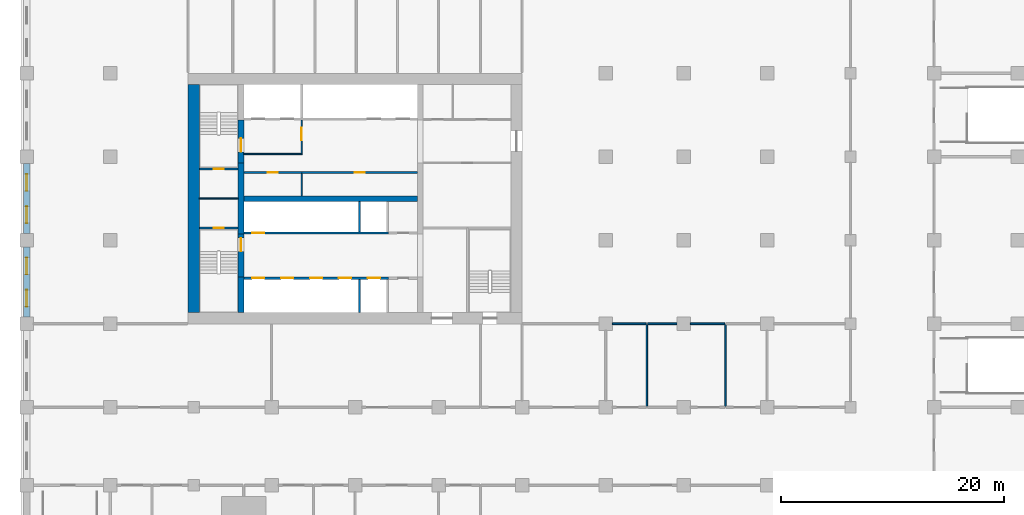
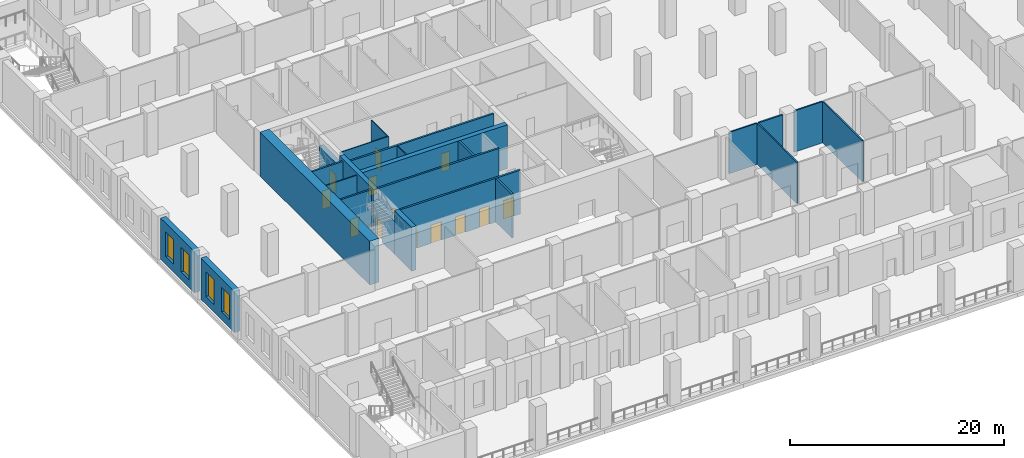
# One storey, part 5 of 22: 24 walls, 13 doors, 4 windows, 17 openings.
"""IFC4 building model written with IfcOpenShell, lengths in metres."""

from ifc_helpers import new_model, si_unit, direction, frame, frame_2d, origin, place, context, subcontext, project, spatial, rectangle, extrude, material, layer, layer_set, type_object, element, fill, save


model = new_model("IFC4")

# Units and contexts
model_context = context("Model", 3, precision=1e-05, world=origin(), true_north=direction((0.0, 1.0)))
body_context = subcontext(model_context, "Body", "Model", "MODEL_VIEW")
ifc_project = project(units=[si_unit("LENGTHUNIT", "METRE"), si_unit("AREAUNIT", "SQUARE_METRE"), si_unit("VOLUMEUNIT", "CUBIC_METRE"), si_unit("PLANEANGLEUNIT", "RADIAN"), si_unit("MASSUNIT", "GRAM", prefix="KILO")], contexts=[model_context])

# Site, building, storey
site_placement = place(None, origin())
site = spatial("IfcSite", under=ifc_project, at=site_placement, CompositionType="ELEMENT")
building_placement = place(site_placement, origin())
building = spatial("IfcBuilding", under=site, at=building_placement, Name="Tamorin Gate", CompositionType="ELEMENT")
storey_placement = place(building_placement, frame((0.0, 0.0, 29.0)))
storey = spatial("IfcBuildingStorey", under=building, at=storey_placement, Name="L05", CompositionType="ELEMENT", Elevation=29.0)

# Wall, openings, doors
ifc_material_1 = material(Name="Concrete C32/40", Category="concrete")
ifc_layer_1 = layer(ifc_material_1, 0.199951171875)
ifc_layer_set_1 = layer_set([ifc_layer_1], Name="Lift lobby face wall 200 EI 120")
wall_type_1 = type_object("IfcWallType", Name="Lift lobby face wall 200 EI 120", PredefinedType="SOLIDWALL", material=ifc_layer_set_1)
wall_1_placement = place(storey_placement, frame((35.0, 64.10009765625, 0.0), z_axis=(0.0, 0.0, 1.0), x_axis=(1.0, 0.0, 0.0)))
wall_1 = element("IfcWall", 1, at=wall_1_placement, inside=storey, type_object=wall_type_1, Name="Lift lobby face wall", PredefinedType="SOLIDWALL", context=body_context, shape_type="SweptSolid", body=[
    extrude(rectangle(XDim=13.0, YDim=0.199951171875, at=frame_2d((6.5, 0.0))), origin(), (0.0, 0.0, 1.0), 5.0),
])
opening_1_placement = place(wall_1_placement, frame((0.75, 0.0, 0.0)))
opening_1 = element("IfcOpeningElement", 2, at=opening_1_placement, cuts=wall_1, Name="Opening LD1", PredefinedType="OPENING", context=body_context, shape_type="SweptSolid", body=[
    extrude(rectangle(XDim=1.10009765625, YDim=2.10009765625, at=frame_2d((0.550048828125, 1.050048828125))), frame((0.0, 0.10986328125, 0.0), z_axis=(0.0, -1.0, 0.0), x_axis=(1.0, 0.0, 0.0)), (0.0, 0.0, 1.0), 0.219970703125),
])
opening_2_placement = place(wall_1_placement, frame((3.35009765625, 0.0, 0.0)))
opening_2 = element("IfcOpeningElement", 3, at=opening_2_placement, cuts=wall_1, Name="Opening LD2", PredefinedType="OPENING", context=body_context, shape_type="SweptSolid", body=[
    extrude(rectangle(XDim=1.10009765625, YDim=2.10009765625, at=frame_2d((0.550048828125, 1.050048828125))), frame((0.0, 0.10986328125, 0.0), z_axis=(0.0, -1.0, 0.0), x_axis=(1.0, 0.0, 0.0)), (0.0, 0.0, 1.0), 0.219970703125),
])
opening_3_placement = place(wall_1_placement, frame((5.949951171875, 0.0, 0.0)))
opening_3 = element("IfcOpeningElement", 4, at=opening_3_placement, cuts=wall_1, Name="Opening LD3", PredefinedType="OPENING", context=body_context, shape_type="SweptSolid", body=[
    extrude(rectangle(XDim=1.10009765625, YDim=2.10009765625, at=frame_2d((0.550048828125, 1.050048828125))), frame((0.0, 0.10986328125, 0.0), z_axis=(0.0, -1.0, 0.0), x_axis=(1.0, 0.0, 0.0)), (0.0, 0.0, 1.0), 0.219970703125),
])
opening_4_placement = place(wall_1_placement, frame((8.550048828125, 0.0, 0.0)))
opening_4 = element("IfcOpeningElement", 5, at=opening_4_placement, cuts=wall_1, Name="Opening LD4", PredefinedType="OPENING", context=body_context, shape_type="SweptSolid", body=[
    extrude(rectangle(XDim=1.10009765625, YDim=2.10009765625, at=frame_2d((0.550048828125, 1.050048828125))), frame((0.0, 0.10986328125, 0.0), z_axis=(0.0, -1.0, 0.0), x_axis=(1.0, 0.0, 0.0)), (0.0, 0.0, 1.0), 0.219970703125),
])
opening_5_placement = place(wall_1_placement, frame((11.14990234375, 0.0, 0.0)))
opening_5 = element("IfcOpeningElement", 6, at=opening_5_placement, cuts=wall_1, Name="Opening LD5", PredefinedType="OPENING", context=body_context, shape_type="SweptSolid", body=[
    extrude(rectangle(XDim=1.10009765625, YDim=2.10009765625, at=frame_2d((0.550048828125, 1.050048828125))), frame((0.0, 0.10986328125, 0.0), z_axis=(0.0, -1.0, 0.0), x_axis=(1.0, 0.0, 0.0)), (0.0, 0.0, 1.0), 0.219970703125),
])
ifc_material_2 = material(Name="Stainless steel sliding door", Category="steel")
door_type_1 = type_object("IfcDoorType", Name="Lift landing door 1100 x 2100 E 90", OperationType="DOUBLE_DOOR_SLIDING", PredefinedType="DOOR", material=ifc_material_2)
door_1_placement = place(opening_1_placement, origin())
door_1 = element("IfcDoor", 7, at=door_1_placement, inside=storey, type_object=door_type_1, Name="LR1 landing door", OperationType="DOUBLE_DOOR_SLIDING", OverallHeight=2.10009765625, OverallWidth=1.10009765625, PredefinedType="DOOR", context=body_context, shape_type="SweptSolid", body=[
    extrude(rectangle(XDim=1.10009765625, YDim=2.10009765625, at=frame_2d((0.550048828125, 1.050048828125))), frame((0.0, 0.02490234375, 0.0), z_axis=(0.0, -1.0, 0.0), x_axis=(1.0, 0.0, 0.0)), (0.0, 0.0, 1.0), 0.050048828125),
])
fill(opening_1, door_1)
door_2_placement = place(opening_2_placement, origin())
door_2 = element("IfcDoor", 8, at=door_2_placement, inside=storey, type_object=door_type_1, Name="LR2 landing door", OperationType="DOUBLE_DOOR_SLIDING", OverallHeight=2.10009765625, OverallWidth=1.10009765625, PredefinedType="DOOR", context=body_context, shape_type="SweptSolid", body=[
    extrude(rectangle(XDim=1.10009765625, YDim=2.10009765625, at=frame_2d((0.550048828125, 1.050048828125))), frame((0.0, 0.02490234375, 0.0), z_axis=(0.0, -1.0, 0.0), x_axis=(1.0, 0.0, 0.0)), (0.0, 0.0, 1.0), 0.050048828125),
])
fill(opening_2, door_2)
door_3_placement = place(opening_3_placement, origin())
door_3 = element("IfcDoor", 9, at=door_3_placement, inside=storey, type_object=door_type_1, Name="LR3 landing door", OperationType="DOUBLE_DOOR_SLIDING", OverallHeight=2.10009765625, OverallWidth=1.10009765625, PredefinedType="DOOR", context=body_context, shape_type="SweptSolid", body=[
    extrude(rectangle(XDim=1.10009765625, YDim=2.10009765625, at=frame_2d((0.550048828125, 1.050048828125))), frame((0.0, 0.02490234375, 0.0), z_axis=(0.0, -1.0, 0.0), x_axis=(1.0, 0.0, 0.0)), (0.0, 0.0, 1.0), 0.050048828125),
])
fill(opening_3, door_3)
door_4_placement = place(opening_4_placement, origin())
door_4 = element("IfcDoor", 10, at=door_4_placement, inside=storey, type_object=door_type_1, Name="LR4 landing door", OperationType="DOUBLE_DOOR_SLIDING", OverallHeight=2.10009765625, OverallWidth=1.10009765625, PredefinedType="DOOR", context=body_context, shape_type="SweptSolid", body=[
    extrude(rectangle(XDim=1.10009765625, YDim=2.10009765625, at=frame_2d((0.550048828125, 1.050048828125))), frame((0.0, 0.02490234375, 0.0), z_axis=(0.0, -1.0, 0.0), x_axis=(1.0, 0.0, 0.0)), (0.0, 0.0, 1.0), 0.050048828125),
])
fill(opening_4, door_4)
door_5_placement = place(opening_5_placement, origin())
door_5 = element("IfcDoor", 11, at=door_5_placement, inside=storey, type_object=door_type_1, Name="LR5 landing door", OperationType="DOUBLE_DOOR_SLIDING", OverallHeight=2.10009765625, OverallWidth=1.10009765625, PredefinedType="DOOR", context=body_context, shape_type="SweptSolid", body=[
    extrude(rectangle(XDim=1.10009765625, YDim=2.10009765625, at=frame_2d((0.550048828125, 1.050048828125))), frame((0.0, 0.02490234375, 0.0), z_axis=(0.0, -1.0, 0.0), x_axis=(1.0, 0.0, 0.0)), (0.0, 0.0, 1.0), 0.050048828125),
])
fill(opening_5, door_5)

# Wall, opening, door
wall_2_placement = place(storey_placement, frame((35.0, 68.14990234375, 0.0), z_axis=(0.0, 0.0, 1.0), x_axis=(1.0, 0.0, 0.0)))
wall_2 = element("IfcWall", 12, at=wall_2_placement, inside=storey, type_object=wall_type_1, Name="Lift lobby face wall", PredefinedType="SOLIDWALL", context=body_context, shape_type="SweptSolid", body=[
    extrude(rectangle(XDim=13.0, YDim=0.199951171875, at=frame_2d((6.5, 0.0))), origin(), (0.0, 0.0, 1.0), 5.0),
])
opening_6_placement = place(wall_2_placement, frame((0.75, 0.0, 0.0)))
opening_6 = element("IfcOpeningElement", 13, at=opening_6_placement, cuts=wall_2, Name="Opening LD6", PredefinedType="OPENING", context=body_context, shape_type="SweptSolid", body=[
    extrude(rectangle(XDim=1.10009765625, YDim=2.10009765625, at=frame_2d((0.550048828125, 1.050048828125))), frame((0.0, 0.10986328125, 0.0), z_axis=(0.0, -1.0, 0.0), x_axis=(1.0, 0.0, 0.0)), (0.0, 0.0, 1.0), 0.219970703125),
])
door_6_placement = place(opening_6_placement, origin())
door_6 = element("IfcDoor", 14, at=door_6_placement, inside=storey, type_object=door_type_1, Name="LR6 landing door", OperationType="DOUBLE_DOOR_SLIDING", OverallHeight=2.10009765625, OverallWidth=1.10009765625, PredefinedType="DOOR", context=body_context, shape_type="SweptSolid", body=[
    extrude(rectangle(XDim=1.10009765625, YDim=2.10009765625, at=frame_2d((0.550048828125, 1.050048828125))), frame((0.0, 0.02490234375, 0.0), z_axis=(0.0, -1.0, 0.0), x_axis=(1.0, 0.0, 0.0)), (0.0, 0.0, 1.0), 0.050048828125),
])
fill(opening_6, door_6)

# Walls
ifc_layer_2 = layer(ifc_material_1, 0.199951171875)
ifc_layer_set_2 = layer_set([ifc_layer_2], Name="Lift shaft wall 200 EI 120")
wall_type_2 = type_object("IfcWallType", Name="Lift shaft wall 200 EI 120", PredefinedType="SOLIDWALL", material=ifc_layer_set_2)
wall_3_placement = place(storey_placement, frame((45.39990234375, 61.0, 0.0), z_axis=(0.0, 0.0, 1.0), x_axis=(0.0, 1.0, 0.0)))
element("IfcWall", 15, at=wall_3_placement, inside=storey, type_object=wall_type_2, Name="Lift shaft wall", PredefinedType="SOLIDWALL", context=body_context, shape_type="SweptSolid", body=[
    extrude(rectangle(XDim=3.0, YDim=0.199951171875, at=frame_2d((1.5, 0.0))), origin(), (0.0, 0.0, 1.0), 5.0),
])
wall_4_placement = place(storey_placement, frame((45.39990234375, 68.25, 0.0), z_axis=(0.0, 0.0, 1.0), x_axis=(0.0, 1.0, 0.0)))
element("IfcWall", 16, at=wall_4_placement, inside=storey, type_object=wall_type_2, Name="Lift shaft wall", PredefinedType="SOLIDWALL", context=body_context, shape_type="SweptSolid", body=[
    extrude(rectangle(XDim=2.75, YDim=0.199951171875, at=frame_2d((1.375, 0.0))), origin(), (0.0, 0.0, 1.0), 5.0),
])
ifc_material_3 = material(Name="Fire-rated gypsum board partition")
ifc_layer_3 = layer(ifc_material_3, 0.10009765625)
ifc_layer_set_3 = layer_set([ifc_layer_3], Name="Lobby wall 100 EI 60")
wall_type_3 = type_object("IfcWallType", Name="Lobby wall 100 EI 60", PredefinedType="PARTITIONING", material=ifc_layer_set_3)
wall_5_placement = place(storey_placement, frame((35.0, 75.25, 0.0), z_axis=(0.0, 0.0, 1.0), x_axis=(1.0, 0.0, 0.0)))
element("IfcWall", 17, at=wall_5_placement, inside=storey, type_object=wall_type_3, Name="Firefighting lobby wall", PredefinedType="PARTITIONING", context=body_context, shape_type="SweptSolid", body=[
    extrude(rectangle(XDim=5.25, YDim=0.10009765625, at=frame_2d((2.625, 0.0))), origin(), (0.0, 0.0, 1.0), 4.75),
])

# Wall, opening, door
wall_6_placement = place(storey_placement, frame((40.199951171875, 75.300048828125, 0.0), z_axis=(0.0, 0.0, 1.0), x_axis=(0.0, 1.0, 0.0)))
wall_6 = element("IfcWall", 18, at=wall_6_placement, inside=storey, type_object=wall_type_3, Name="Firefighting lobby wall", PredefinedType="PARTITIONING", context=body_context, shape_type="SweptSolid", body=[
    extrude(rectangle(XDim=3.0, YDim=0.10009765625, at=frame_2d((1.5, 0.0))), origin(), (0.0, 0.0, 1.0), 4.75),
])
opening_7_placement = place(wall_6_placement, frame((1.199951171875, 0.0, 0.0)))
opening_7 = element("IfcOpeningElement", 19, at=opening_7_placement, cuts=wall_6, Name="Opening DF1", PredefinedType="OPENING", context=body_context, shape_type="SweptSolid", body=[
    extrude(rectangle(XDim=1.10009765625, YDim=2.10009765625, at=frame_2d((0.550048828125, 1.050048828125))), frame((0.0, 0.06005859375, 0.0), z_axis=(0.0, -1.0, 0.0), x_axis=(1.0, 0.0, 0.0)), (0.0, 0.0, 1.0), 0.1201171875),
])
ifc_material_4 = material(Name="Steel fire door", Category="steel")
door_type_2 = type_object("IfcDoorType", Name="Firefighting lobby door 1100 x 2100 EI 90", OperationType="SINGLE_SWING_LEFT", PredefinedType="DOOR", material=ifc_material_4)
door_7_placement = place(opening_7_placement, origin())
door_7 = element("IfcDoor", 20, at=door_7_placement, inside=storey, type_object=door_type_2, Name="Firefighting lobby door", OperationType="SINGLE_SWING_LEFT", OverallHeight=2.10009765625, OverallWidth=1.10009765625, PredefinedType="DOOR", context=body_context, shape_type="SweptSolid", body=[
    extrude(rectangle(XDim=1.10009765625, YDim=2.10009765625, at=frame_2d((0.550048828125, 1.050048828125))), frame((0.0, 0.02490234375, 0.0), z_axis=(0.0, -1.0, 0.0), x_axis=(1.0, 0.0, 0.0)), (0.0, 0.0, 1.0), 0.050048828125),
])
fill(opening_7, door_7)

# Walls
ifc_material_5 = material(Name="Concrete masonry C20/25", Category="masonry")
ifc_layer_4 = layer(ifc_material_5, 0.14990234375)
ifc_layer_set_4 = layer_set([ifc_layer_4], Name="Partition 150")
wall_type_4 = type_object("IfcWallType", Name="Partition 150", PredefinedType="PARTITIONING", material=ifc_layer_set_4)
wall_7_placement = place(storey_placement, frame((68.10009765625, 60.0, 0.0), z_axis=(0.0, 0.0, 1.0), x_axis=(1.0, 0.0, 0.0)))
element("IfcWall", 21, at=wall_7_placement, inside=storey, type_object=wall_type_4, Name="Partition 150 L05", PredefinedType="PARTITIONING", context=body_context, shape_type="SweptSolid", body=[
    extrude(rectangle(XDim=3.02490234375, YDim=0.14990234375, at=frame_2d((1.512451171875, 0.0))), origin(), (0.0, 0.0, 1.0), 4.699951171875),
])
wall_8_placement = place(storey_placement, frame((71.27490234375, 60.0, 0.0), z_axis=(0.0, 0.0, 1.0), x_axis=(1.0, 0.0, 0.0)))
element("IfcWall", 22, at=wall_8_placement, inside=storey, type_object=wall_type_4, Name="Partition 150 L05", PredefinedType="PARTITIONING", context=body_context, shape_type="SweptSolid", body=[
    extrude(rectangle(XDim=2.625, YDim=0.14990234375, at=frame_2d((1.3125, 0.0))), origin(), (0.0, 0.0, 1.0), 4.699951171875),
])
wall_9_placement = place(storey_placement, frame((75.10009765625, 60.0, 0.0), z_axis=(0.0, 0.0, 1.0), x_axis=(1.0, 0.0, 0.0)))
element("IfcWall", 23, at=wall_9_placement, inside=storey, type_object=wall_type_4, Name="Partition 150 L05", PredefinedType="PARTITIONING", context=body_context, shape_type="SweptSolid", body=[
    extrude(rectangle(XDim=3.074951171875, YDim=0.14990234375, at=frame_2d((1.53759765625, 0.0))), origin(), (0.0, 0.0, 1.0), 4.699951171875),
])
for number, where, z_axis, x_axis, name in (
    (24, (71.199951171875, 52.574951171875, 0.0), (0.0, 0.0, 1.0), (0.0, 1.0, 0.0), "Partition 150 L05"),
    (25, (78.25, 52.574951171875, 0.0), (0.0, 0.0, 1.0), (0.0, 1.0, 0.0), "Partition 150 L05"),
):
    element("IfcWall", number, at=place(storey_placement, frame(where, z_axis=z_axis, x_axis=x_axis)), inside=storey, type_object=wall_type_4, Name=name, PredefinedType="PARTITIONING", context=body_context, shape_type="SweptSolid", body=[
        extrude(rectangle(XDim=7.35009765625, YDim=0.14990234375, at=frame_2d((3.675048828125, 0.0))), origin(), (0.0, 0.0, 1.0), 4.699951171875),
    ])

# Wall, openings, windows
ifc_material_6 = material(Name="Precast concrete C40/50", Category="concrete")
ifc_layer_5 = layer(ifc_material_6, 0.60009765625)
ifc_layer_set_5 = layer_set([ifc_layer_5], Name="Precast concrete C40/50")
wall_type_5 = type_object("IfcWallType", Name="Precast plinth wall 600", PredefinedType="PARTITIONING", material=ifc_layer_set_5)
wall_10_placement = place(storey_placement, frame((15.5, 60.60009765625, 0.0), z_axis=(0.0, 0.0, 1.0), x_axis=(0.0, 1.0, 0.0)))
wall_10 = element("IfcWall", 26, at=wall_10_placement, inside=storey, type_object=wall_type_5, Name="Precast plinth wall 600 L05", PredefinedType="PARTITIONING", context=body_context, shape_type="SweptSolid", body=[
    extrude(rectangle(XDim=6.2998046875, YDim=0.60009765625, at=frame_2d((3.14990234375, 0.0))), origin(), (0.0, 0.0, 1.0), 4.699951171875),
])
opening_8_placement = place(wall_10_placement, frame((0.950927734375, 0.0, 0.89990234375)))
opening_8 = element("IfcOpeningElement", 27, at=opening_8_placement, cuts=wall_10, Name="Opening PWN5", PredefinedType="OPENING", context=body_context, shape_type="SweptSolid", body=[
    extrude(rectangle(XDim=1.5, YDim=2.800048828125, at=frame_2d((0.75, 1.39990234375))), frame((0.0, 0.31005859375, 0.0), z_axis=(0.0, -1.0, 0.0), x_axis=(1.0, 0.0, 0.0)), (0.0, 0.0, 1.0), 0.6201171875),
])
opening_9_placement = place(wall_10_placement, frame((3.84912109375, 0.0, 0.89990234375)))
opening_9 = element("IfcOpeningElement", 28, at=opening_9_placement, cuts=wall_10, Name="Opening PWN5", PredefinedType="OPENING", context=body_context, shape_type="SweptSolid", body=[
    extrude(rectangle(XDim=1.5, YDim=2.800048828125, at=frame_2d((0.75, 1.39990234375))), frame((0.0, 0.31005859375, 0.0), z_axis=(0.0, -1.0, 0.0), x_axis=(1.0, 0.0, 0.0)), (0.0, 0.0, 1.0), 0.6201171875),
])
ifc_material_7 = material(Name="Aluminium and glass", Category="aluminium")
window_type = type_object("IfcWindowType", Name="Plinth window 1500x2800", PartitioningType="DOUBLE_PANEL_VERTICAL", PredefinedType="WINDOW", material=ifc_material_7)
window_1_placement = place(opening_8_placement, origin())
window_1 = element("IfcWindow", 29, at=window_1_placement, inside=storey, type_object=window_type, Name="Plinth window 1500x2800", OverallHeight=2.800048828125, OverallWidth=1.5, PartitioningType="SINGLE_PANEL", PredefinedType="WINDOW", context=body_context, shape_type="SweptSolid", body=[
    extrude(rectangle(XDim=1.5, YDim=2.800048828125, at=frame_2d((0.75, 1.39990234375))), frame((0.0, 0.030029296875, 0.0), z_axis=(0.0, -1.0, 0.0), x_axis=(1.0, 0.0, 0.0)), (0.0, 0.0, 1.0), 0.06005859375),
])
fill(opening_8, window_1)
window_2_placement = place(opening_9_placement, origin())
window_2 = element("IfcWindow", 30, at=window_2_placement, inside=storey, type_object=window_type, Name="Plinth window 1500x2800", OverallHeight=2.800048828125, OverallWidth=1.5, PartitioningType="SINGLE_PANEL", PredefinedType="WINDOW", context=body_context, shape_type="SweptSolid", body=[
    extrude(rectangle(XDim=1.5, YDim=2.800048828125, at=frame_2d((0.75, 1.39990234375))), frame((0.0, 0.030029296875, 0.0), z_axis=(0.0, -1.0, 0.0), x_axis=(1.0, 0.0, 0.0)), (0.0, 0.0, 1.0), 0.06005859375),
])
fill(opening_9, window_2)

wall_11_placement = place(storey_placement, frame((15.5, 68.10009765625, 0.0), z_axis=(0.0, 0.0, 1.0), x_axis=(0.0, 1.0, 0.0)))
wall_11 = element("IfcWall", 31, at=wall_11_placement, inside=storey, type_object=wall_type_5, Name="Precast plinth wall 600 L05", PredefinedType="PARTITIONING", context=body_context, shape_type="SweptSolid", body=[
    extrude(rectangle(XDim=6.2998046875, YDim=0.60009765625, at=frame_2d((3.14990234375, 0.0))), origin(), (0.0, 0.0, 1.0), 4.699951171875),
])
opening_10_placement = place(wall_11_placement, frame((0.950927734375, 0.0, 0.89990234375)))
opening_10 = element("IfcOpeningElement", 32, at=opening_10_placement, cuts=wall_11, Name="Opening PWN5", PredefinedType="OPENING", context=body_context, shape_type="SweptSolid", body=[
    extrude(rectangle(XDim=1.5, YDim=2.800048828125, at=frame_2d((0.75, 1.39990234375))), frame((0.0, 0.31005859375, 0.0), z_axis=(0.0, -1.0, 0.0), x_axis=(1.0, 0.0, 0.0)), (0.0, 0.0, 1.0), 0.6201171875),
])
opening_11_placement = place(wall_11_placement, frame((3.84912109375, 0.0, 0.89990234375)))
opening_11 = element("IfcOpeningElement", 33, at=opening_11_placement, cuts=wall_11, Name="Opening PWN5", PredefinedType="OPENING", context=body_context, shape_type="SweptSolid", body=[
    extrude(rectangle(XDim=1.5, YDim=2.800048828125, at=frame_2d((0.75, 1.39990234375))), frame((0.0, 0.31005859375, 0.0), z_axis=(0.0, -1.0, 0.0), x_axis=(1.0, 0.0, 0.0)), (0.0, 0.0, 1.0), 0.6201171875),
])
window_3_placement = place(opening_10_placement, origin())
window_3 = element("IfcWindow", 34, at=window_3_placement, inside=storey, type_object=window_type, Name="Plinth window 1500x2800", OverallHeight=2.800048828125, OverallWidth=1.5, PartitioningType="SINGLE_PANEL", PredefinedType="WINDOW", context=body_context, shape_type="SweptSolid", body=[
    extrude(rectangle(XDim=1.5, YDim=2.800048828125, at=frame_2d((0.75, 1.39990234375))), frame((0.0, 0.030029296875, 0.0), z_axis=(0.0, -1.0, 0.0), x_axis=(1.0, 0.0, 0.0)), (0.0, 0.0, 1.0), 0.06005859375),
])
fill(opening_10, window_3)
window_4_placement = place(opening_11_placement, origin())
window_4 = element("IfcWindow", 35, at=window_4_placement, inside=storey, type_object=window_type, Name="Plinth window 1500x2800", OverallHeight=2.800048828125, OverallWidth=1.5, PartitioningType="SINGLE_PANEL", PredefinedType="WINDOW", context=body_context, shape_type="SweptSolid", body=[
    extrude(rectangle(XDim=1.5, YDim=2.800048828125, at=frame_2d((0.75, 1.39990234375))), frame((0.0, 0.030029296875, 0.0), z_axis=(0.0, -1.0, 0.0), x_axis=(1.0, 0.0, 0.0)), (0.0, 0.0, 1.0), 0.06005859375),
])
fill(opening_11, window_4)

# Walls
ifc_material_8 = material(Name="Concrete C80/95", Category="concrete")
ifc_layer_6 = layer(ifc_material_8, 0.5)
ifc_layer_set_6 = layer_set([ifc_layer_6], Name="RC core internal wall 500 C80/95")
wall_type_6 = type_object("IfcWallType", Name="RC core internal wall 500 C80/95", PredefinedType="SHEAR", material=ifc_layer_set_6)
wall_12_placement = place(storey_placement, frame((35.0, 71.25, 0.0), z_axis=(0.0, 0.0, 1.0), x_axis=(1.0, 0.0, 0.0)))
element("IfcWall", 36, at=wall_12_placement, inside=storey, type_object=wall_type_6, Name="Core spine wall L05", PredefinedType="SHEAR", context=body_context, shape_type="SweptSolid", body=[
    extrude(rectangle(XDim=15.60009765625, YDim=0.5, at=frame_2d((7.800048828125, 0.0))), origin(), (0.0, 0.0, 1.0), 5.0),
])
wall_13_placement = place(storey_placement, frame((34.75, 61.0, 0.0), z_axis=(0.0, 0.0, 1.0), x_axis=(0.0, 1.0, 0.0)))
element("IfcWall", 37, at=wall_13_placement, inside=storey, type_object=wall_type_6, Name="Core cross wall L05", PredefinedType="SHEAR", context=body_context, shape_type="SweptSolid", body=[
    extrude(rectangle(XDim=3.199951171875, YDim=0.5, at=frame_2d((1.60009765625, 0.0))), origin(), (0.0, 0.0, 1.0), 5.0),
])
wall_14_placement = place(storey_placement, frame((34.75, 68.050048828125, 0.0), z_axis=(0.0, 0.0, 1.0), x_axis=(0.0, 1.0, 0.0)))
element("IfcWall", 38, at=wall_14_placement, inside=storey, type_object=wall_type_6, Name="Core cross wall L05", PredefinedType="SHEAR", context=body_context, shape_type="SweptSolid", body=[
    extrude(rectangle(XDim=6.39990234375, YDim=0.5, at=frame_2d((3.199951171875, 0.0))), origin(), (0.0, 0.0, 1.0), 5.0),
])
ifc_layer_7 = layer(ifc_material_8, 1.0)
ifc_layer_set_7 = layer_set([ifc_layer_7], Name="RC core wall 1000 C80/95")
wall_type_7 = type_object("IfcWallType", Name="RC core wall 1000 C80/95", PredefinedType="SHEAR", material=ifc_layer_set_7)
wall_15_placement = place(storey_placement, frame((30.5, 61.0, 0.0), z_axis=(0.0, 0.0, 1.0), x_axis=(0.0, 1.0, 0.0)))
element("IfcWall", 39, at=wall_15_placement, inside=storey, type_object=wall_type_7, Name="Core wall L05", PredefinedType="SHEAR", context=body_context, shape_type="SweptSolid", body=[
    extrude(rectangle(XDim=20.5, YDim=1.0, at=frame_2d((10.25, 0.0))), origin(), (0.0, 0.0, 1.0), 5.0),
])
ifc_layer_8 = layer(ifc_material_3, 0.10009765625)
ifc_layer_set_8 = layer_set([ifc_layer_8], Name="Riser partition 100 EI 120")
wall_type_8 = type_object("IfcWallType", Name="Riser partition 100 EI 120", PredefinedType="PARTITIONING", material=ifc_layer_set_8)
wall_16_placement = place(storey_placement, frame((31.0, 71.25, 0.0), z_axis=(0.0, 0.0, 1.0), x_axis=(1.0, 0.0, 0.0)))
element("IfcWall", 40, at=wall_16_placement, inside=storey, type_object=wall_type_8, Name="Riser partition", PredefinedType="PARTITIONING", context=body_context, shape_type="SweptSolid", body=[
    extrude(rectangle(XDim=3.5, YDim=0.10009765625, at=frame_2d((1.75, 0.0))), origin(), (0.0, 0.0, 1.0), 4.75),
])

# Wall, openings, doors
ifc_material_9 = material(Name="Gypsum board partition")
ifc_layer_9 = layer(ifc_material_9, 0.199951171875)
ifc_layer_set_9 = layer_set([ifc_layer_9], Name="Service room face wall 200 EI 60")
wall_type_9 = type_object("IfcWallType", Name="Service room face wall 200 EI 60", PredefinedType="PARTITIONING", material=ifc_layer_set_9)
wall_17_placement = place(storey_placement, frame((35.0, 73.60009765625, 0.0), z_axis=(0.0, 0.0, 1.0), x_axis=(1.0, 0.0, 0.0)))
wall_17 = element("IfcWall", 41, at=wall_17_placement, inside=storey, type_object=wall_type_9, Name="Service room face wall", PredefinedType="PARTITIONING", context=body_context, shape_type="SweptSolid", body=[
    extrude(rectangle(XDim=15.60009765625, YDim=0.199951171875, at=frame_2d((7.800048828125, 0.0))), origin(), (0.0, 0.0, 1.0), 4.75),
])
opening_12_placement = place(wall_17_placement, frame((2.14990234375, 0.0, 0.0)))
opening_12 = element("IfcOpeningElement", 42, at=opening_12_placement, cuts=wall_17, Name="Opening DK1", PredefinedType="OPENING", context=body_context, shape_type="SweptSolid", body=[
    extrude(rectangle(XDim=0.89990234375, YDim=2.10009765625, at=frame_2d((0.449951171875, 1.050048828125))), frame((0.0, 0.10986328125, 0.0), z_axis=(0.0, -1.0, 0.0), x_axis=(1.0, 0.0, 0.0)), (0.0, 0.0, 1.0), 0.219970703125),
])
opening_13_placement = place(wall_17_placement, frame((9.949951171875, 0.0, 0.0)))
opening_13 = element("IfcOpeningElement", 43, at=opening_13_placement, cuts=wall_17, Name="Opening DK1", PredefinedType="OPENING", context=body_context, shape_type="SweptSolid", body=[
    extrude(rectangle(XDim=0.89990234375, YDim=2.10009765625, at=frame_2d((0.449951171875, 1.050048828125))), frame((0.0, 0.10986328125, 0.0), z_axis=(0.0, -1.0, 0.0), x_axis=(1.0, 0.0, 0.0)), (0.0, 0.0, 1.0), 0.219970703125),
])
ifc_material_10 = material(Name="Timber fire door", Category="wood")
door_type_3 = type_object("IfcDoorType", Name="Service room door 900 x 2100 EI 60", OperationType="SINGLE_SWING_LEFT", PredefinedType="DOOR", material=ifc_material_10)
door_8_placement = place(opening_12_placement, origin())
door_8 = element("IfcDoor", 44, at=door_8_placement, inside=storey, type_object=door_type_3, Name="Door Security store", OperationType="SINGLE_SWING_LEFT", OverallHeight=2.10009765625, OverallWidth=0.89990234375, PredefinedType="DOOR", context=body_context, shape_type="SweptSolid", body=[
    extrude(rectangle(XDim=0.89990234375, YDim=2.10009765625, at=frame_2d((0.449951171875, 1.050048828125))), frame((0.0, 0.02490234375, 0.0), z_axis=(0.0, -1.0, 0.0), x_axis=(1.0, 0.0, 0.0)), (0.0, 0.0, 1.0), 0.050048828125),
])
fill(opening_12, door_8)
door_9_placement = place(opening_13_placement, origin())
door_9 = element("IfcDoor", 45, at=door_9_placement, inside=storey, type_object=door_type_3, Name="Door Electrical room", OperationType="SINGLE_SWING_RIGHT", OverallHeight=2.10009765625, OverallWidth=0.89990234375, PredefinedType="DOOR", context=body_context, shape_type="SweptSolid", body=[
    extrude(rectangle(XDim=0.89990234375, YDim=2.10009765625, at=frame_2d((0.449951171875, 1.050048828125))), frame((0.0, 0.02490234375, 0.0), z_axis=(0.0, -1.0, 0.0), x_axis=(1.0, 0.0, 0.0)), (0.0, 0.0, 1.0), 0.050048828125),
])
fill(opening_13, door_9)

# Wall
ifc_layer_10 = layer(ifc_material_9, 0.10009765625)
ifc_layer_set_10 = layer_set([ifc_layer_10], Name="Service room partition 100 EI 60")
wall_type_10 = type_object("IfcWallType", Name="Service room partition 100 EI 60", PredefinedType="PARTITIONING", material=ifc_layer_set_10)
wall_18_placement = place(storey_placement, frame((40.199951171875, 71.5, 0.0), z_axis=(0.0, 0.0, 1.0), x_axis=(0.0, 1.0, 0.0)))
element("IfcWall", 46, at=wall_18_placement, inside=storey, type_object=wall_type_10, Name="Service room partition", PredefinedType="PARTITIONING", context=body_context, shape_type="SweptSolid", body=[
    extrude(rectangle(XDim=2.0, YDim=0.10009765625, at=frame_2d((1.0, 0.0))), origin(), (0.0, 0.0, 1.0), 4.75),
])

# Wall, opening, door
ifc_material_11 = material(Name="Concrete C40/50", Category="concrete")
ifc_layer_11 = layer(ifc_material_11, 0.199951171875)
ifc_layer_set_11 = layer_set([ifc_layer_11], Name="Stair enclosure wall 200 EI 120 C40/50")
wall_type_11 = type_object("IfcWallType", Name="Stair enclosure wall 200 EI 120 C40/50", PredefinedType="SOLIDWALL", material=ifc_layer_set_11)
wall_19_placement = place(storey_placement, frame((31.0, 68.60009765625, 0.0), z_axis=(0.0, 0.0, 1.0), x_axis=(1.0, 0.0, 0.0)))
wall_19 = element("IfcWall", 47, at=wall_19_placement, inside=storey, type_object=wall_type_11, Name="Stair enclosure wall", PredefinedType="SOLIDWALL", context=body_context, shape_type="SweptSolid", body=[
    extrude(rectangle(XDim=3.5, YDim=0.199951171875, at=frame_2d((1.75, 0.0))), origin(), (0.0, 0.0, 1.0), 4.75),
])
opening_14_placement = place(wall_19_placement, frame((1.300048828125, 0.0, 0.0)))
opening_14 = element("IfcOpeningElement", 48, at=opening_14_placement, cuts=wall_19, Name="Opening DR1", PredefinedType="OPENING", context=body_context, shape_type="SweptSolid", body=[
    extrude(rectangle(XDim=0.89990234375, YDim=2.10009765625, at=frame_2d((0.449951171875, 1.050048828125))), frame((0.0, 0.10986328125, 0.0), z_axis=(0.0, -1.0, 0.0), x_axis=(1.0, 0.0, 0.0)), (0.0, 0.0, 1.0), 0.219970703125),
])
door_type_4 = type_object("IfcDoorType", Name="Riser access door 900 x 2100 EI 120", OperationType="SINGLE_SWING_LEFT", PredefinedType="DOOR", material=ifc_material_4)
door_10_placement = place(opening_14_placement, origin())
door_10 = element("IfcDoor", 49, at=door_10_placement, inside=storey, type_object=door_type_4, Name="Electrical riser door", OperationType="SINGLE_SWING_LEFT", OverallHeight=2.10009765625, OverallWidth=0.89990234375, PredefinedType="DOOR", context=body_context, shape_type="SweptSolid", body=[
    extrude(rectangle(XDim=0.89990234375, YDim=2.10009765625, at=frame_2d((0.449951171875, 1.050048828125))), frame((0.0, 0.02490234375, 0.0), z_axis=(0.0, -1.0, 0.0), x_axis=(1.0, 0.0, 0.0)), (0.0, 0.0, 1.0), 0.050048828125),
])
fill(opening_14, door_10)

wall_20_placement = place(storey_placement, frame((31.0, 73.89990234375, 0.0), z_axis=(0.0, 0.0, 1.0), x_axis=(1.0, 0.0, 0.0)))
wall_20 = element("IfcWall", 50, at=wall_20_placement, inside=storey, type_object=wall_type_11, Name="Stair enclosure wall", PredefinedType="SOLIDWALL", context=body_context, shape_type="SweptSolid", body=[
    extrude(rectangle(XDim=3.5, YDim=0.199951171875, at=frame_2d((1.75, 0.0))), origin(), (0.0, 0.0, 1.0), 4.75),
])
opening_15_placement = place(wall_20_placement, frame((1.300048828125, 0.0, 0.0)))
opening_15 = element("IfcOpeningElement", 51, at=opening_15_placement, cuts=wall_20, Name="Opening DR1", PredefinedType="OPENING", context=body_context, shape_type="SweptSolid", body=[
    extrude(rectangle(XDim=0.89990234375, YDim=2.10009765625, at=frame_2d((0.449951171875, 1.050048828125))), frame((0.0, 0.10986328125, 0.0), z_axis=(0.0, -1.0, 0.0), x_axis=(1.0, 0.0, 0.0)), (0.0, 0.0, 1.0), 0.219970703125),
])
door_11_placement = place(opening_15_placement, origin())
door_11 = element("IfcDoor", 52, at=door_11_placement, inside=storey, type_object=door_type_4, Name="Communications riser door", OperationType="SINGLE_SWING_RIGHT", OverallHeight=2.10009765625, OverallWidth=0.89990234375, PredefinedType="DOOR", context=body_context, shape_type="SweptSolid", body=[
    extrude(rectangle(XDim=0.89990234375, YDim=2.10009765625, at=frame_2d((0.449951171875, 1.050048828125))), frame((0.0, 0.02490234375, 0.0), z_axis=(0.0, -1.0, 0.0), x_axis=(1.0, 0.0, 0.0)), (0.0, 0.0, 1.0), 0.050048828125),
])
fill(opening_15, door_11)

ifc_layer_12 = layer(ifc_material_1, 0.5)
ifc_layer_set_12 = layer_set([ifc_layer_12], Name="Stair lobby infill wall 500 EI 120")
wall_type_12 = type_object("IfcWallType", Name="Stair lobby infill wall 500 EI 120", PredefinedType="SOLIDWALL", material=ifc_layer_set_12)
wall_21_placement = place(storey_placement, frame((34.75, 64.199951171875, 0.0), z_axis=(0.0, 0.0, 1.0), x_axis=(0.0, 1.0, 0.0)))
wall_21 = element("IfcWall", 53, at=wall_21_placement, inside=storey, type_object=wall_type_12, Name="Stair lobby infill wall", PredefinedType="SOLIDWALL", context=body_context, shape_type="SweptSolid", body=[
    extrude(rectangle(XDim=3.85009765625, YDim=0.5, at=frame_2d((1.925048828125, 0.0))), origin(), (0.0, 0.0, 1.0), 3.800048828125),
])
opening_16_placement = place(wall_21_placement, frame((2.300048828125, 0.0, 0.0)))
opening_16 = element("IfcOpeningElement", 54, at=opening_16_placement, cuts=wall_21, Name="Opening DS1", PredefinedType="OPENING", context=body_context, shape_type="SweptSolid", body=[
    extrude(rectangle(XDim=1.199951171875, YDim=2.10009765625, at=frame_2d((0.60009765625, 1.050048828125))), frame((0.0, 0.260009765625, 0.0), z_axis=(0.0, -1.0, 0.0), x_axis=(1.0, 0.0, 0.0)), (0.0, 0.0, 1.0), 0.52001953125),
])
door_type_5 = type_object("IfcDoorType", Name="Stair door 1200 x 2100 EI 90", OperationType="SINGLE_SWING_LEFT", PredefinedType="DOOR", material=ifc_material_4)
door_12_placement = place(opening_16_placement, origin())
door_12 = element("IfcDoor", 55, at=door_12_placement, inside=storey, type_object=door_type_5, Name="ST1 door", OperationType="SINGLE_SWING_LEFT", OverallHeight=2.10009765625, OverallWidth=1.199951171875, PredefinedType="DOOR", context=body_context, shape_type="SweptSolid", body=[
    extrude(rectangle(XDim=1.199951171875, YDim=2.10009765625, at=frame_2d((0.60009765625, 1.050048828125))), frame((0.0, 0.02490234375, 0.0), z_axis=(0.0, -1.0, 0.0), x_axis=(1.0, 0.0, 0.0)), (0.0, 0.0, 1.0), 0.050048828125),
])
fill(opening_16, door_12)

wall_22_placement = place(storey_placement, frame((34.75, 74.449951171875, 0.0), z_axis=(0.0, 0.0, 1.0), x_axis=(0.0, 1.0, 0.0)))
wall_22 = element("IfcWall", 56, at=wall_22_placement, inside=storey, type_object=wall_type_12, Name="Stair lobby infill wall", PredefinedType="SOLIDWALL", context=body_context, shape_type="SweptSolid", body=[
    extrude(rectangle(XDim=3.85009765625, YDim=0.5, at=frame_2d((1.925048828125, 0.0))), origin(), (0.0, 0.0, 1.0), 3.800048828125),
])
opening_17_placement = place(wall_22_placement, frame((1.0, 0.0, 0.0)))
opening_17 = element("IfcOpeningElement", 57, at=opening_17_placement, cuts=wall_22, Name="Opening DS1", PredefinedType="OPENING", context=body_context, shape_type="SweptSolid", body=[
    extrude(rectangle(XDim=1.199951171875, YDim=2.10009765625, at=frame_2d((0.60009765625, 1.050048828125))), frame((0.0, 0.260009765625, 0.0), z_axis=(0.0, -1.0, 0.0), x_axis=(1.0, 0.0, 0.0)), (0.0, 0.0, 1.0), 0.52001953125),
])
door_13_placement = place(opening_17_placement, origin())
door_13 = element("IfcDoor", 58, at=door_13_placement, inside=storey, type_object=door_type_5, Name="ST2 door", OperationType="SINGLE_SWING_RIGHT", OverallHeight=2.10009765625, OverallWidth=1.199951171875, PredefinedType="DOOR", context=body_context, shape_type="SweptSolid", body=[
    extrude(rectangle(XDim=1.199951171875, YDim=2.10009765625, at=frame_2d((0.60009765625, 1.050048828125))), frame((0.0, 0.02490234375, 0.0), z_axis=(0.0, -1.0, 0.0), x_axis=(1.0, 0.0, 0.0)), (0.0, 0.0, 1.0), 0.050048828125),
])
fill(opening_17, door_13)

save(model, "model.ifc")
